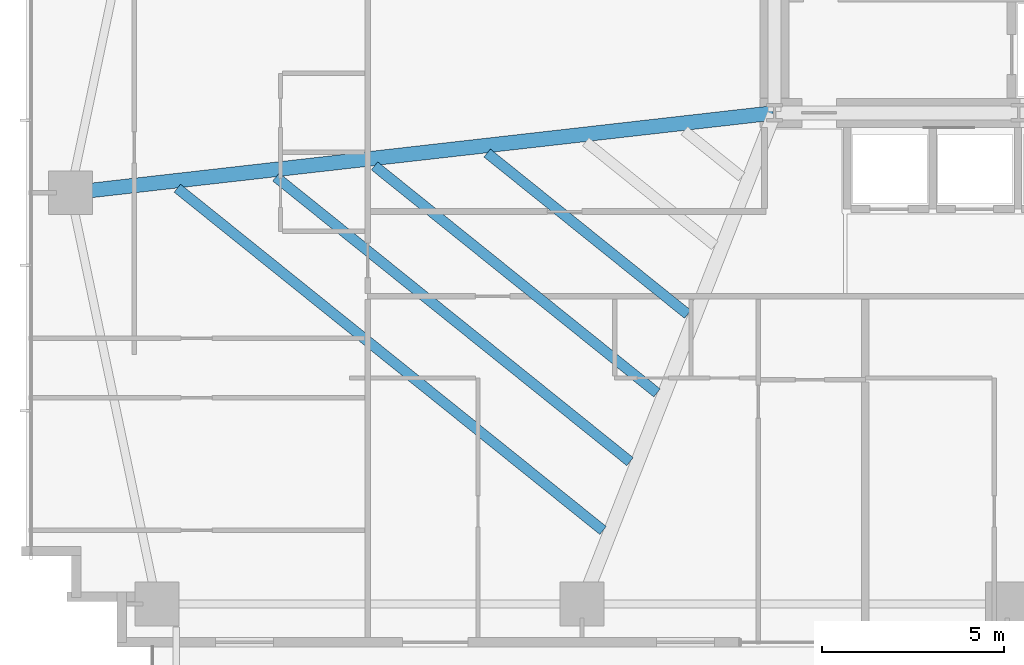
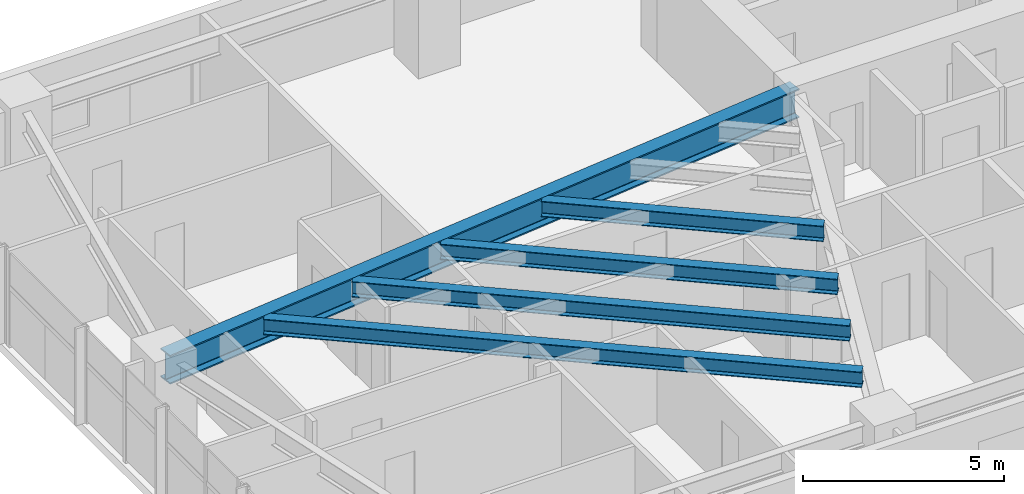
# One storey, part 5 of 25: 5 beams.
"""IFC4 building model written with IfcOpenShell, lengths in metres."""

from ifc_helpers import new_model, si_unit, direction, frame, origin, origin_2d, place, context, subcontext, project, spatial, i_section, extrude, source, transform, mapped, material, material_profile, profile_set, type_object, type_shapes, element, save


model = new_model("IFC4")

# Units and contexts
model_context = context("Model", 3, precision=1e-05, world=origin(), true_north=direction((0.0, 1.0)))
body_context = subcontext(model_context, "Body", "Model", "MODEL_VIEW")
ifc_project = project(units=[si_unit("LENGTHUNIT", "METRE"), si_unit("AREAUNIT", "SQUARE_METRE"), si_unit("VOLUMEUNIT", "CUBIC_METRE"), si_unit("PLANEANGLEUNIT", "RADIAN"), si_unit("MASSUNIT", "GRAM", prefix="KILO")], contexts=[model_context])

# Site, building, storey
site_placement = place(None, origin())
site = spatial("IfcSite", under=ifc_project, at=site_placement, CompositionType="ELEMENT")
building_placement = place(site_placement, origin())
building = spatial("IfcBuilding", under=site, at=building_placement, Name="Astriad Promenade Condominiums", CompositionType="ELEMENT")
storey_placement = place(building_placement, frame((0.0, 0.0, 26.199951171875)))
storey = spatial("IfcBuildingStorey", under=building, at=storey_placement, Name="L06", CompositionType="ELEMENT", Elevation=26.199951171875)

# Beams
ifc_material = material(Name="Steel ASTM A992 Grade 50", Category="steel")
ifc_material_profile_1 = material_profile(ifc_material, i_section(OverallWidth=0.4013671875, OverallDepth=0.877197265625, WebThickness=0.022216796875, FlangeThickness=0.039794921875, FilletRadius=0.02294921875, at=origin_2d()), Name="W33X263")
ifc_profile_set_1 = profile_set([ifc_material_profile_1], Name="Steel ASTM A992 Grade 50")
beam_type_1 = type_object("IfcBeamType", Name="STEEL PRIMARY GIRDER W33X263", PredefinedType="BEAM", material=ifc_profile_set_1)
shared_shape_1 = source(origin(), body_context, "Body", "SweptSolid", [
    extrude(i_section(OverallWidth=0.4013671875, OverallDepth=0.877197265625, WebThickness=0.022216796875, FlangeThickness=0.039794921875, FilletRadius=0.02294921875, at=origin_2d()), origin(), (0.0, 0.0, 1.0), 19.424560546875),
])
type_shapes(beam_type_1, [shared_shape_1])
beam_1_placement = place(storey_placement, frame((7.059814453125, 15.20458984375, 2.50146484375), z_axis=(0.993618675315, 0.11279152479, 0.0), x_axis=(-0.11279152479, 0.993618675315, 0.0)))
element("IfcBeam", 1, at=beam_1_placement, inside=storey, type_object=beam_type_1, Name="Primary Floor Girder PG-WM-L06", PredefinedType="BEAM", context=body_context, shape_type="MappedRepresentation", body=[
    mapped(shared_shape_1, transform((0.0, 0.0, 0.0), scale=1.0)),
])
ifc_material_profile_2 = material_profile(ifc_material, i_section(OverallWidth=0.283203125, OverallDepth=0.47216796875, WebThickness=0.013671875, FlangeThickness=0.022216796875, FilletRadius=0.01513671875, at=origin_2d()), Name="W18X97")
ifc_profile_set_2 = profile_set([ifc_material_profile_2], Name="Steel ASTM A992 Grade 50")
beam_type_2 = type_object("IfcBeamType", Name="STEEL FLOOR JOIST W18X97", PredefinedType="JOIST", material=ifc_profile_set_2)
shared_shape_2 = source(origin(), body_context, "Body", "SweptSolid", [
    extrude(i_section(OverallWidth=0.283203125, OverallDepth=0.47216796875, WebThickness=0.013671875, FlangeThickness=0.022216796875, FilletRadius=0.01513671875, at=origin_2d()), origin(), (0.0, 0.0, 1.0), 15.033447265625),
])
beam_2_placement = place(storey_placement, frame((9.961181640625, 15.32470703125, 2.703857421875), z_axis=(0.779353434302, -0.626584570862, 0.0), x_axis=(0.626584570862, 0.779353434302, 0.0)))
element("IfcBeam", 2, at=beam_2_placement, inside=storey, type_object=beam_type_2, Name="Secondary Composite Floor Joist JW1-1-L06", PredefinedType="JOIST", context=body_context, shape_type="MappedRepresentation", body=[
    mapped(shared_shape_2, transform((0.0, 0.0, 0.0), scale=1.0)),
])
shared_shape_3 = source(origin(), body_context, "Body", "SweptSolid", [
    extrude(i_section(OverallWidth=0.283203125, OverallDepth=0.47216796875, WebThickness=0.013671875, FlangeThickness=0.022216796875, FilletRadius=0.01513671875, at=origin_2d()), origin(), (0.0, 0.0, 1.0), 12.50439453125),
])
beam_3_placement = place(storey_placement, frame((12.67431640625, 15.6328125, 2.703857421875), z_axis=(0.77935791062, -0.626579003122, 0.0), x_axis=(0.626579003122, 0.77935791062, 0.0)))
element("IfcBeam", 3, at=beam_3_placement, inside=storey, type_object=beam_type_2, Name="Secondary Composite Floor Joist JW1-2-L06", PredefinedType="JOIST", context=body_context, shape_type="MappedRepresentation", body=[
    mapped(shared_shape_3, transform((0.0, 0.0, 0.0), scale=1.0)),
])
shared_shape_4 = source(origin(), body_context, "Body", "SweptSolid", [
    extrude(i_section(OverallWidth=0.283203125, OverallDepth=0.47216796875, WebThickness=0.013671875, FlangeThickness=0.022216796875, FilletRadius=0.01513671875, at=origin_2d()), origin(), (0.0, 0.0, 1.0), 9.97509765625),
])
beam_4_placement = place(storey_placement, frame((15.387451171875, 15.94091796875, 2.703857421875), z_axis=(0.779355047887, -0.626582563859, 0.0), x_axis=(0.626582563859, 0.779355047887, 0.0)))
element("IfcBeam", 4, at=beam_4_placement, inside=storey, type_object=beam_type_2, Name="Secondary Composite Floor Joist JW1-3-L06", PredefinedType="JOIST", context=body_context, shape_type="MappedRepresentation", body=[
    mapped(shared_shape_4, transform((0.0, 0.0, 0.0), scale=1.0)),
])
shared_shape_5 = source(origin(), body_context, "Body", "SweptSolid", [
    extrude(i_section(OverallWidth=0.283203125, OverallDepth=0.47216796875, WebThickness=0.013671875, FlangeThickness=0.022216796875, FilletRadius=0.01513671875, at=origin_2d()), origin(), (0.0, 0.0, 1.0), 7.08447265625),
])
type_shapes(beam_type_2, [shared_shape_2, shared_shape_3, shared_shape_4, shared_shape_5])
beam_5_placement = place(storey_placement, frame((18.48828125, 16.292724609375, 2.703857421875), z_axis=(0.779353562297, -0.62658441166, 0.0), x_axis=(0.62658441166, 0.779353562297, 0.0)))
element("IfcBeam", 5, at=beam_5_placement, inside=storey, type_object=beam_type_2, Name="Secondary Composite Floor Joist JW1-4-L06", PredefinedType="JOIST", context=body_context, shape_type="MappedRepresentation", body=[
    mapped(shared_shape_5, transform((0.0, 0.0, 0.0), scale=1.0)),
])

save(model, "model.ifc")
